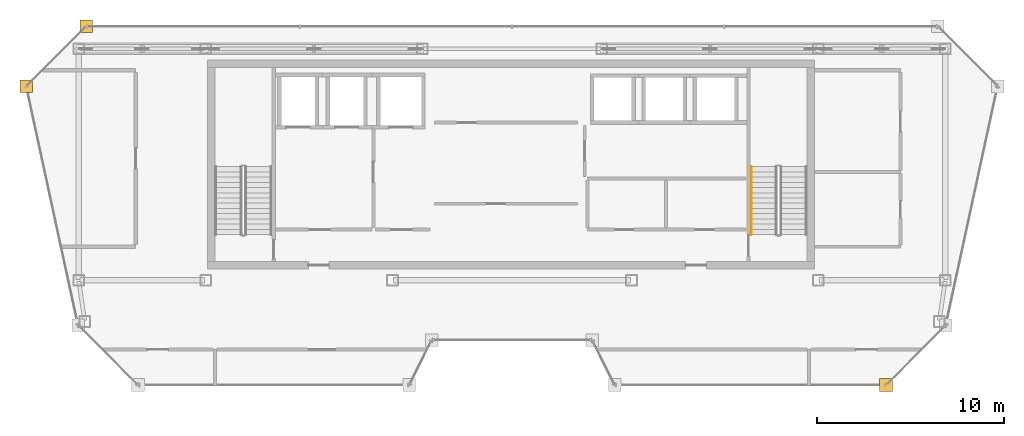
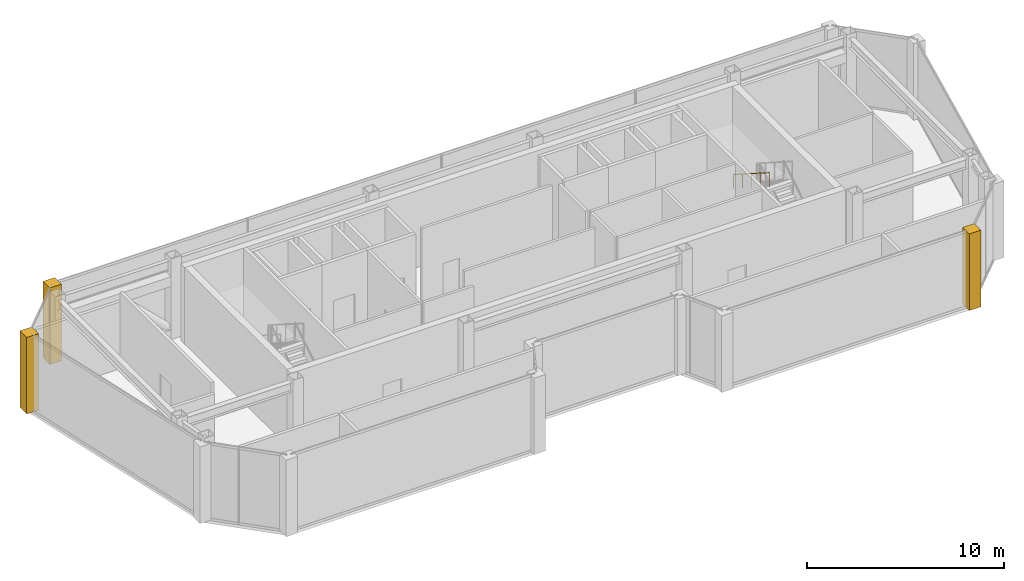
# One storey, part 19 of 20: 3 coverings, 1 railing.
"""IFC4 building model written with IfcOpenShell, lengths in metres."""

from ifc_helpers import new_model, si_unit, direction, frame, origin, origin_2d, place, context, subcontext, project, spatial, polyline, circle, outline, extrude, material, layer, layer_set, type_object, element, save


model = new_model("IFC4")

# Units and contexts
model_context = context("Model", 3, precision=1e-05, world=origin(), true_north=direction((0.0, 1.0)))
body_context = subcontext(model_context, "Body", "Model", "MODEL_VIEW")
ifc_project = project(units=[si_unit("LENGTHUNIT", "METRE"), si_unit("AREAUNIT", "SQUARE_METRE"), si_unit("VOLUMEUNIT", "CUBIC_METRE"), si_unit("PLANEANGLEUNIT", "RADIAN"), si_unit("MASSUNIT", "GRAM", prefix="KILO")], contexts=[model_context])

# Site, building, storey
site_placement = place(None, origin())
site = spatial("IfcSite", under=ifc_project, at=site_placement, CompositionType="ELEMENT")
building_placement = place(site_placement, origin())
building = spatial("IfcBuilding", under=site, at=building_placement, Name="Saevonmaru Cultural Tower", CompositionType="ELEMENT")
storey_placement = place(building_placement, frame((0.0, 0.0, 314.199951171875)))
storey = spatial("IfcBuildingStorey", under=building, at=storey_placement, Name="L75", CompositionType="ELEMENT", Elevation=314.199951171875)

# Coverings
ifc_material = material(Name="Satin Bronze Anodised Aluminium", Category="aluminium")
ifc_layer = layer(ifc_material, 0.679931640625, Name="Satin Bronze Anodised Aluminium")
ifc_layer_set = layer_set([ifc_layer], Name="Satin Bronze Anodised Aluminium")
covering_type = type_object("IfcCoveringType", Name="CV-CORNER-CLAD", PredefinedType="CLADDING", material=ifc_layer_set)
covering_1_placement = place(storey_placement, origin())
element("IfcCovering", 1, at=covering_1_placement, inside=storey, type_object=covering_type, Name="L75 Tower Bronze Corner Cladding Pier 7", PredefinedType="CLADDING", context=body_context, shape_type="SweptSolid", body=[
    extrude(outline(polyline([(49.68701171875, 36.4599609375), (50.366943359375, 36.4599609375), (50.366943359375, 37.139892578125), (49.68701171875, 37.139892578125), (49.68701171875, 36.4599609375)])), origin(), (0.0, 0.0, 1.0), 4.75),
])
covering_2_placement = place(storey_placement, origin())
element("IfcCovering", 2, at=covering_2_placement, inside=storey, type_object=covering_type, Name="L75 Tower Bronze Corner Cladding Pier 11", PredefinedType="CLADDING", context=body_context, shape_type="SweptSolid", body=[
    extrude(outline(polyline([(6.860107421875, 55.659912109375), (7.5400390625, 55.659912109375), (7.5400390625, 56.340087890625), (6.860107421875, 56.340087890625), (6.860107421875, 55.659912109375)])), origin(), (0.0, 0.0, 1.0), 4.75),
])
covering_3_placement = place(storey_placement, origin())
element("IfcCovering", 3, at=covering_3_placement, inside=storey, type_object=covering_type, Name="L75 Tower Bronze Corner Cladding Pier 12", PredefinedType="CLADDING", context=body_context, shape_type="SweptSolid", body=[
    extrude(outline(polyline([(3.659912109375, 52.4599609375), (4.340087890625, 52.4599609375), (4.340087890625, 53.139892578125), (3.659912109375, 53.139892578125), (3.659912109375, 52.4599609375)])), origin(), (0.0, 0.0, 1.0), 4.75),
])

# Railing
railing_type = type_object("IfcRailingType", Name="RL-STAIR-HANDRAIL", PredefinedType="HANDRAIL", material=ifc_material)
railing_placement = place(storey_placement, frame((42.800048828125, 48.489990234375, 2.6787109375)))
element("IfcRailing", 4, at=railing_placement, inside=storey, type_object=railing_type, Name="L75 ST-2 stair handrail 2", PredefinedType="HANDRAIL", context=body_context, shape_type="SweptSolid", body=[
    extrude(circle(Radius=0.02392578125, at=origin_2d()), frame((0.0, 0.0, 0.8759765625), z_axis=(0.0, -0.843137146238, 0.537698570422), x_axis=(1.0, 0.0, 0.0)), (0.0, 0.0, 1.0), 4.317138671875),
    extrude(circle(Radius=0.02099609375, at=origin_2d()), origin(), (0.0, 0.0, 1.0), 0.851806640625),
    extrude(circle(Radius=0.02099609375, at=origin_2d()), frame((0.0, -0.909912109375, 0.580322265625)), (0.0, 0.0, 1.0), 0.851806640625),
    extrude(circle(Radius=0.02099609375, at=origin_2d()), frame((0.0, -1.81982421875, 1.16064453125)), (0.0, 0.0, 1.0), 0.851806640625),
    extrude(circle(Radius=0.02099609375, at=origin_2d()), frame((0.0, -2.72998046875, 1.740966796875)), (0.0, 0.0, 1.0), 0.851806640625),
    extrude(circle(Radius=0.02099609375, at=origin_2d()), frame((0.0, -3.639892578125, 2.3212890625)), (0.0, 0.0, 1.0), 0.851806640625),
])

save(model, "model.ifc")
